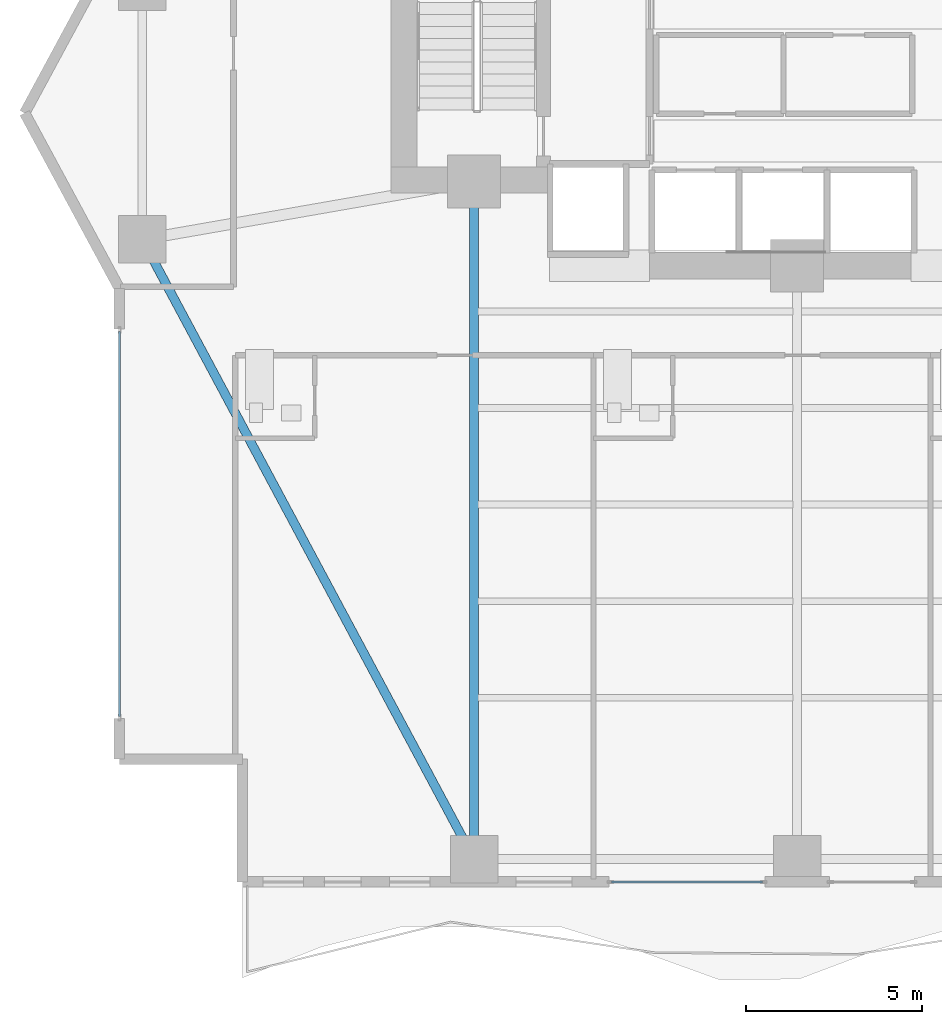
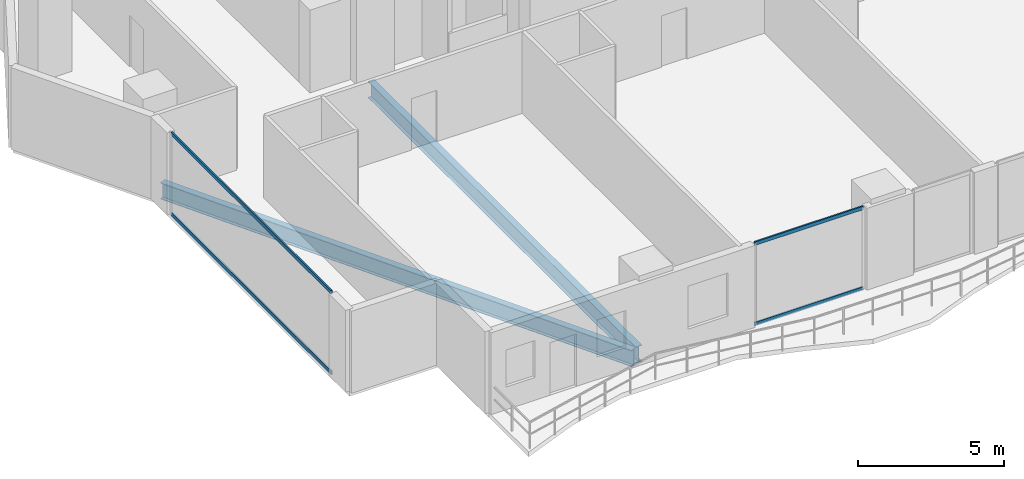
# One storey, part 3 of 28: 4 members, 2 beams, 2 elements without a shape of their own.
"""IFC4 building model written with IfcOpenShell, lengths in metres."""

from ifc_helpers import new_model, si_unit, direction, frame, origin, origin_2d, place, context, subcontext, project, spatial, hollow_rectangle, i_section, extrude, material, layer, layer_set, material_profile, profile_set, type_object, element, aggregate, save


model = new_model("IFC4")

# Units and contexts
model_context = context("Model", 3, precision=1e-05, world=origin(), true_north=direction((0.0, 1.0)))
body_context = subcontext(model_context, "Body", "Model", "MODEL_VIEW")
ifc_project = project(units=[si_unit("LENGTHUNIT", "METRE"), si_unit("AREAUNIT", "SQUARE_METRE"), si_unit("VOLUMEUNIT", "CUBIC_METRE"), si_unit("PLANEANGLEUNIT", "RADIAN"), si_unit("MASSUNIT", "GRAM", prefix="KILO")], contexts=[model_context])

# Site, building, storey
site_placement = place(None, origin())
site = spatial("IfcSite", under=ifc_project, at=site_placement, CompositionType="ELEMENT")
building_placement = place(site_placement, origin())
building = spatial("IfcBuilding", under=site, at=building_placement, Name="Zuhayl Quay Hotel", CompositionType="ELEMENT")
storey_placement = place(building_placement, frame((0.0, 0.0, 139.449951171875)))
storey = spatial("IfcBuildingStorey", under=building, at=storey_placement, Name="L35", CompositionType="ELEMENT", Elevation=139.449951171875)

# Beams
ifc_material_1 = material(Name="Steel ASTM A992 Grade 50", Category="steel")
ifc_material_profile_1 = material_profile(ifc_material_1, i_section(OverallWidth=0.25390625, OverallDepth=0.68310546875, WebThickness=0.012451171875, FlangeThickness=0.018798828125, at=origin_2d()), Name="W27X94")
ifc_profile_set_1 = profile_set([ifc_material_profile_1], Name="Steel ASTM A992 Grade 50")
beam_type = type_object("IfcBeamType", Name="BM_B2_W27X94", PredefinedType="BEAM", material=ifc_profile_set_1)
beam_1_placement = place(storey_placement, frame((-23.013916015625, 2.459228515625, -0.5615234375), z_axis=(0.472017301959, -0.88158928456, 0.0), x_axis=(0.88158928456, 0.472017301959, 0.0)))
element("IfcBeam", 1, at=beam_1_placement, inside=storey, type_object=beam_type, Name="L35 Floor Beam RG_L35_12", PredefinedType="BEAM", context=body_context, shape_type="SweptSolid", body=[
    extrude(i_section(OverallWidth=0.25390625, OverallDepth=0.68310546875, WebThickness=0.012451171875, FlangeThickness=0.018798828125, at=origin_2d()), origin(), (0.0, 0.0, 1.0), 19.0205078125),
])
beam_2_placement = place(storey_placement, frame((-13.800048828125, -14.25, -0.5615234375), z_axis=(0.0, 1.0, 0.0), x_axis=(-1.0, 0.0, 0.0)))
element("IfcBeam", 2, at=beam_2_placement, inside=storey, type_object=beam_type, Name="L35 Floor Beam FG_S_L35_1", PredefinedType="BEAM", context=body_context, shape_type="SweptSolid", body=[
    extrude(i_section(OverallWidth=0.25390625, OverallDepth=0.68310546875, WebThickness=0.012451171875, FlangeThickness=0.018798828125, at=origin_2d()), origin(), (0.0, 0.0, 1.0), 18.35009765625),
])

# Curtain wall, members
ifc_material_2 = material(Name="Anodised Aluminium 6063-T6", Category="aluminium")
ifc_layer = layer(ifc_material_2, 0.179931640625, Name="Anodised Aluminium 6063-T6", Category="aluminium")
ifc_layer_set = layer_set([ifc_layer], Name="Anodised Aluminium 6063-T6")
curtain_wall_type = type_object("IfcCurtainWallType", Name="CW_SYS_Z2", PredefinedType="USERDEFINED", material=ifc_layer_set)
curtain_wall_1_placement = place(storey_placement, origin())
curtain_wall_1 = element("IfcCurtainWall", 3, at=curtain_wall_1_placement, inside=storey, type_object=curtain_wall_type, Name="L35 Curtain Wall ENV_L35_E02_CW1", ObjectType="UNITISED CURTAIN WALL", PredefinedType="USERDEFINED")
ifc_material_3 = material(Name="Black-anodised aluminium 6063-T6", Category="aluminium")
ifc_material_profile_2 = material_profile(ifc_material_3, hollow_rectangle(XDim=0.06005859375, YDim=0.14990234375, WallThickness=0.00341796875, at=origin_2d()), Name="ALU150X60")
ifc_profile_set_2 = profile_set([ifc_material_profile_2], Name="Black-anodised aluminium 6063-T6")
member_type = type_object("IfcMemberType", Name="MB_CW_TRN_150", PredefinedType="USERDEFINED", material=ifc_profile_set_2)
member_1_placement = place(storey_placement, frame((-23.89990234375, -10.68505859375, 0.030029296875), z_axis=(0.0, 1.0, 0.0), x_axis=(-1.0, 0.0, 0.0)))
member_1 = element("IfcMember", 4, at=member_1_placement, type_object=member_type, Name="CW-Z2 transom 1.1", ObjectType="TRANSOM", PredefinedType="USERDEFINED", context=body_context, shape_type="SweptSolid", body=[
    extrude(hollow_rectangle(XDim=0.06005859375, YDim=0.14990234375, WallThickness=0.00341796875, at=origin_2d()), origin(), (0.0, 0.0, 1.0), 10.969970703125),
])
member_2_placement = place(storey_placement, frame((-23.89990234375, -10.68505859375, 3.400146484375), z_axis=(0.0, 1.0, 0.0), x_axis=(-1.0, 0.0, 0.0)))
member_2 = element("IfcMember", 5, at=member_2_placement, type_object=member_type, Name="CW-Z2 transom 1.2", ObjectType="TRANSOM", PredefinedType="USERDEFINED", context=body_context, shape_type="SweptSolid", body=[
    extrude(hollow_rectangle(XDim=0.06005859375, YDim=0.14990234375, WallThickness=0.00341796875, at=origin_2d()), origin(), (0.0, 0.0, 1.0), 10.969970703125),
])
aggregate(curtain_wall_1, [member_1, member_2])

curtain_wall_2_placement = place(storey_placement, origin())
curtain_wall_2 = element("IfcCurtainWall", 6, at=curtain_wall_2_placement, inside=storey, type_object=curtain_wall_type, Name="L35 Curtain Wall ENV_L35_S_CW6", ObjectType="UNITISED CURTAIN WALL", PredefinedType="USERDEFINED")
member_3_placement = place(storey_placement, frame((-5.5849609375, -15.39990234375, 0.030029296875), z_axis=(-1.0, 0.0, 0.0), x_axis=(0.0, -1.0, 0.0)))
member_3 = element("IfcMember", 7, at=member_3_placement, type_object=member_type, Name="CW-Z2 transom 1.1", ObjectType="TRANSOM", PredefinedType="USERDEFINED", context=body_context, shape_type="SweptSolid", body=[
    extrude(hollow_rectangle(XDim=0.06005859375, YDim=0.14990234375, WallThickness=0.00341796875, at=origin_2d()), origin(), (0.0, 0.0, 1.0), 4.300048828125),
])
member_4_placement = place(storey_placement, frame((-5.5849609375, -15.39990234375, 3.400146484375), z_axis=(-1.0, 0.0, 0.0), x_axis=(0.0, -1.0, 0.0)))
member_4 = element("IfcMember", 8, at=member_4_placement, type_object=member_type, Name="CW-Z2 transom 1.2", ObjectType="TRANSOM", PredefinedType="USERDEFINED", context=body_context, shape_type="SweptSolid", body=[
    extrude(hollow_rectangle(XDim=0.06005859375, YDim=0.14990234375, WallThickness=0.00341796875, at=origin_2d()), origin(), (0.0, 0.0, 1.0), 4.300048828125),
])
aggregate(curtain_wall_2, [member_3, member_4])

save(model, "model.ifc")
